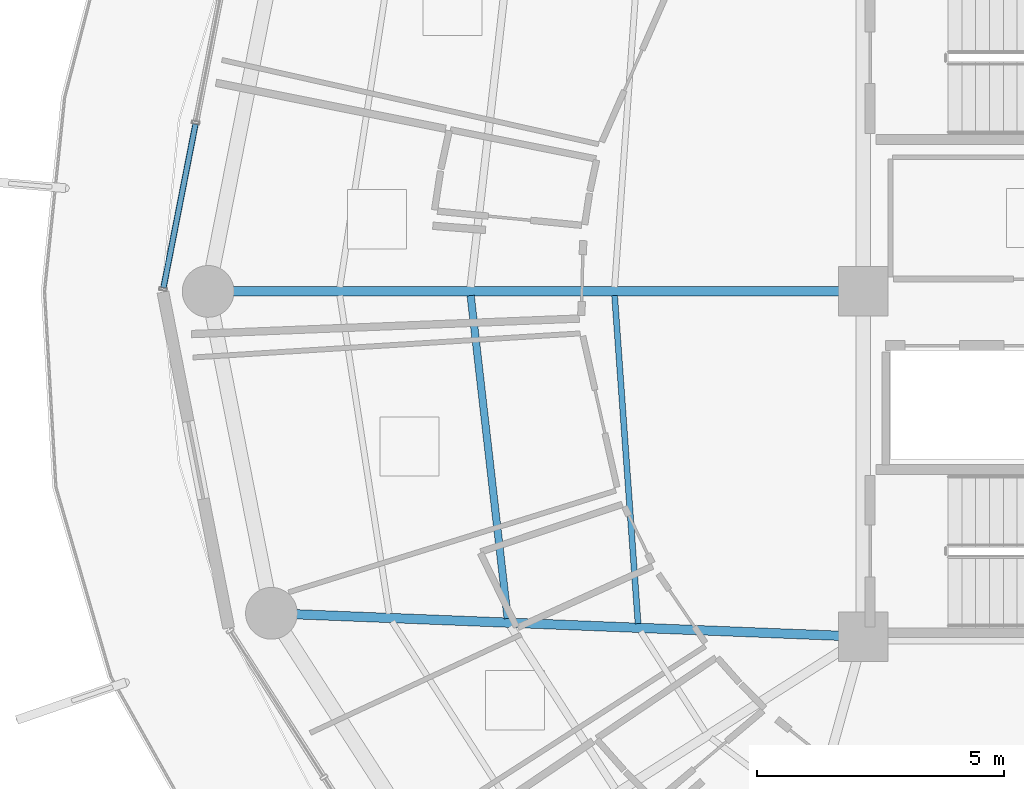
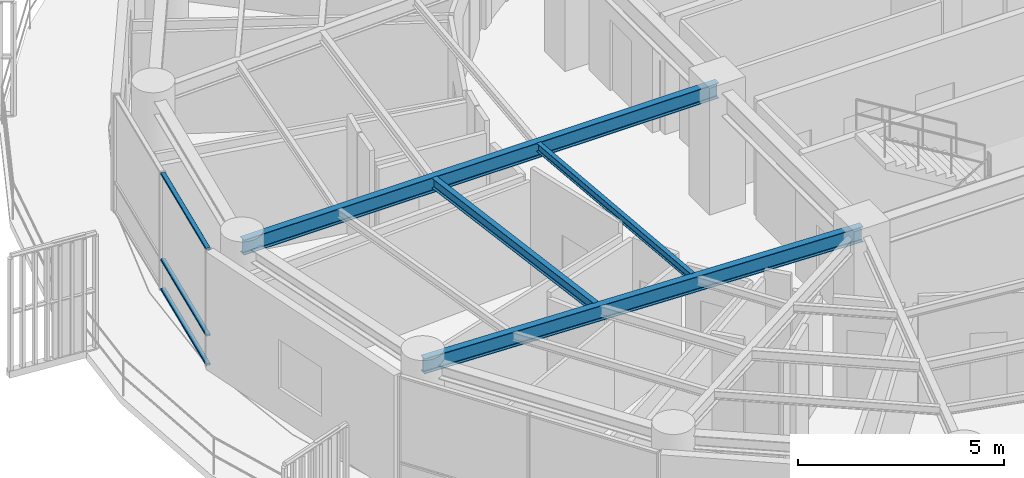
# One storey, part 7 of 30: 4 beams, 3 members, 1 element without a shape of its own.
"""IFC4 building model written with IfcOpenShell, lengths in metres."""

from ifc_helpers import new_model, si_unit, direction, frame, origin, origin_2d, place, context, subcontext, project, spatial, hollow_rectangle, i_section, extrude, material, layer, layer_set, material_profile, profile_set, type_object, element, aggregate, save


model = new_model("IFC4")

# Units and contexts
model_context = context("Model", 3, precision=1e-05, world=origin(), true_north=direction((0.0, 1.0)))
body_context = subcontext(model_context, "Body", "Model", "MODEL_VIEW")
ifc_project = project(units=[si_unit("LENGTHUNIT", "METRE"), si_unit("AREAUNIT", "SQUARE_METRE"), si_unit("VOLUMEUNIT", "CUBIC_METRE"), si_unit("PLANEANGLEUNIT", "RADIAN"), si_unit("MASSUNIT", "GRAM", prefix="KILO")], contexts=[model_context])

# Site, building, storey
site_placement = place(None, origin())
site = spatial("IfcSite", under=ifc_project, at=site_placement, CompositionType="ELEMENT")
building_placement = place(site_placement, origin())
building = spatial("IfcBuilding", under=site, at=building_placement, Name="Kelanora Arch Commons", CompositionType="ELEMENT")
storey_placement = place(building_placement, frame((0.0, 0.0, 234.449951171875)))
storey = spatial("IfcBuildingStorey", under=building, at=storey_placement, Name="L60", CompositionType="ELEMENT", Elevation=234.449951171875)

# Beams
ifc_material_1 = material(Name="Steel S355", Category="steel")
ifc_material_profile_1 = material_profile(ifc_material_1, i_section(OverallWidth=0.14990234375, OverallDepth=0.300048828125, WebThickness=0.007080078125, FlangeThickness=0.0107421875, FilletRadius=0.014892578125, at=origin_2d()), Name="IPE300")
ifc_profile_set_1 = profile_set([ifc_material_profile_1], Name="Steel S355")
beam_type_1 = type_object("IfcBeamType", Name="BM-JST-01", PredefinedType="JOIST", material=ifc_profile_set_1)
beam_1_placement = place(storey_placement, frame((58.041748046875, 57.91552734375, 3.340087890625), z_axis=(0.113891408177, -0.993493204377, 0.0), x_axis=(0.993493204377, 0.113891408177, 0.0)))
element("IfcBeam", 1, at=beam_1_placement, inside=storey, type_object=beam_type_1, Name="Secondary Chord Joist BJB-18 L60", PredefinedType="JOIST", context=body_context, shape_type="SweptSolid", body=[
    extrude(i_section(OverallWidth=0.14990234375, OverallDepth=0.300048828125, WebThickness=0.007080078125, FlangeThickness=0.0107421875, FilletRadius=0.014892578125, at=origin_2d()), origin(), (0.0, 0.0, 1.0), 6.589599609375),
])
ifc_material_profile_2 = material_profile(ifc_material_1, i_section(OverallWidth=0.1201171875, OverallDepth=0.239990234375, WebThickness=0.006103515625, FlangeThickness=0.009765625, FilletRadius=0.014892578125, at=origin_2d()), Name="IPE240")
ifc_profile_set_2 = profile_set([ifc_material_profile_2], Name="Steel S355")
beam_type_2 = type_object("IfcBeamType", Name="BM-JST-02", PredefinedType="JOIST", material=ifc_profile_set_2)
beam_2_placement = place(storey_placement, frame((60.959716796875, 57.915283203125, 3.3701171875), z_axis=(0.07133032136, -0.997452748382, 0.0), x_axis=(0.997452748382, 0.07133032136, 0.0)))
element("IfcBeam", 2, at=beam_2_placement, inside=storey, type_object=beam_type_2, Name="Secondary Chord Joist BJA-18 L60", PredefinedType="JOIST", context=body_context, shape_type="SweptSolid", body=[
    extrude(i_section(OverallWidth=0.1201171875, OverallDepth=0.239990234375, WebThickness=0.006103515625, FlangeThickness=0.009765625, FilletRadius=0.014892578125, at=origin_2d()), origin(), (0.0, 0.0, 1.0), 6.66748046875),
])
ifc_material_profile_3 = material_profile(ifc_material_1, i_section(OverallWidth=0.18994140625, OverallDepth=0.449951171875, WebThickness=0.009521484375, FlangeThickness=0.0146484375, FilletRadius=0.02099609375, at=origin_2d()), Name="IPE450")
ifc_profile_set_3 = profile_set([ifc_material_profile_3], Name="Steel S355")
beam_type_3 = type_object("IfcBeamType", Name="BM-RAD-Z4", PredefinedType="BEAM", material=ifc_profile_set_3)
beam_3_placement = place(storey_placement, frame((66.0, 58.0, 3.26513671875), z_axis=(-1.0, 0.0, 0.0), x_axis=(0.0, -1.0, 0.0)))
element("IfcBeam", 3, at=beam_3_placement, inside=storey, type_object=beam_type_3, Name="Radial Floor Girder BR-18 L60", PredefinedType="BEAM", context=body_context, shape_type="SweptSolid", body=[
    extrude(i_section(OverallWidth=0.18994140625, OverallDepth=0.449951171875, WebThickness=0.009521484375, FlangeThickness=0.0146484375, FilletRadius=0.02099609375, at=origin_2d()), origin(), (0.0, 0.0, 1.0), 13.280029296875),
])
beam_4_placement = place(storey_placement, frame((66.0, 51.0, 3.26513671875), z_axis=(-0.999219142585, 0.03951082246, 0.0), x_axis=(-0.03951082246, -0.999219142585, 0.0)))
element("IfcBeam", 4, at=beam_4_placement, inside=storey, type_object=beam_type_3, Name="Radial Floor Girder BR-20 L60", PredefinedType="BEAM", context=body_context, shape_type="SweptSolid", body=[
    extrude(i_section(OverallWidth=0.18994140625, OverallDepth=0.449951171875, WebThickness=0.009521484375, FlangeThickness=0.0146484375, FilletRadius=0.02099609375, at=origin_2d()), origin(), (0.0, 0.0, 1.0), 12.005859375),
])

# Curtain wall, members
ifc_material_2 = material(Name="Terracotta ceramic-fritted low-E glass and aluminium", Category="masonry")
ifc_layer = layer(ifc_material_2, 0.175048828125)
ifc_layer_set = layer_set([ifc_layer], Name="Terracotta ceramic-fritted low-E glass and aluminium")
curtain_wall_type = type_object("IfcCurtainWallType", Name="CW-SYS-02", PredefinedType="NOTDEFINED", material=ifc_layer_set)
curtain_wall_placement = place(storey_placement, origin())
curtain_wall = element("IfcCurtainWall", 5, at=curtain_wall_placement, inside=storey, type_object=curtain_wall_type, Name="Unitised Curtain Wall L60-B08", PredefinedType="NOTDEFINED")
ifc_material_3 = material(Name="Powder-coated aluminium terracotta", Category="masonry")
ifc_material_profile_4 = material_profile(ifc_material_3, hollow_rectangle(XDim=0.1201171875, YDim=0.06005859375, WallThickness=0.0048828125, InnerFilletRadius=0.0048828125, OuterFilletRadius=0.010009765625, at=origin_2d()), Name="CWT120x60")
ifc_profile_set_4 = profile_set([ifc_material_profile_4], Name="Powder-coated aluminium terracotta")
member_type = type_object("IfcMemberType", Name="CWT-STD", PredefinedType="USERDEFINED", material=ifc_profile_set_4)
member_1_placement = place(storey_placement, frame((52.463623046875, 61.390869140625, 0.030029296875), z_axis=(-0.192044874899, -0.981386145218, 0.0), x_axis=(0.981386145218, -0.192044874899, 0.0)))
member_1 = element("IfcMember", 6, at=member_1_placement, type_object=member_type, Name="CW-02 transom 2.1", ObjectType="TRANSOM", PredefinedType="USERDEFINED", context=body_context, shape_type="SweptSolid", body=[
    extrude(hollow_rectangle(XDim=0.1201171875, YDim=0.06005859375, WallThickness=0.0048828125, InnerFilletRadius=0.0048828125, OuterFilletRadius=0.010009765625, at=origin_2d()), origin(), (0.0, 0.0, 1.0), 3.38037109375),
])
member_2_placement = place(storey_placement, frame((52.463623046875, 61.390869140625, 0.900146484375), z_axis=(-0.192044874899, -0.981386145218, 0.0), x_axis=(0.981386145218, -0.192044874899, 0.0)))
member_2 = element("IfcMember", 7, at=member_2_placement, type_object=member_type, Name="CW-02 transom 2.2", ObjectType="TRANSOM", PredefinedType="USERDEFINED", context=body_context, shape_type="SweptSolid", body=[
    extrude(hollow_rectangle(XDim=0.1201171875, YDim=0.06005859375, WallThickness=0.0048828125, InnerFilletRadius=0.0048828125, OuterFilletRadius=0.010009765625, at=origin_2d()), origin(), (0.0, 0.0, 1.0), 3.38037109375),
])
member_3_placement = place(storey_placement, frame((52.463623046875, 61.390869140625, 3.445068359375), z_axis=(-0.192044874899, -0.981386145218, 0.0), x_axis=(0.981386145218, -0.192044874899, 0.0)))
member_3 = element("IfcMember", 8, at=member_3_placement, type_object=member_type, Name="CW-02 transom 2.3", ObjectType="TRANSOM", PredefinedType="USERDEFINED", context=body_context, shape_type="SweptSolid", body=[
    extrude(hollow_rectangle(XDim=0.1201171875, YDim=0.06005859375, WallThickness=0.0048828125, InnerFilletRadius=0.0048828125, OuterFilletRadius=0.010009765625, at=origin_2d()), origin(), (0.0, 0.0, 1.0), 3.38037109375),
])
aggregate(curtain_wall, [member_1, member_2, member_3])

save(model, "model.ifc")
